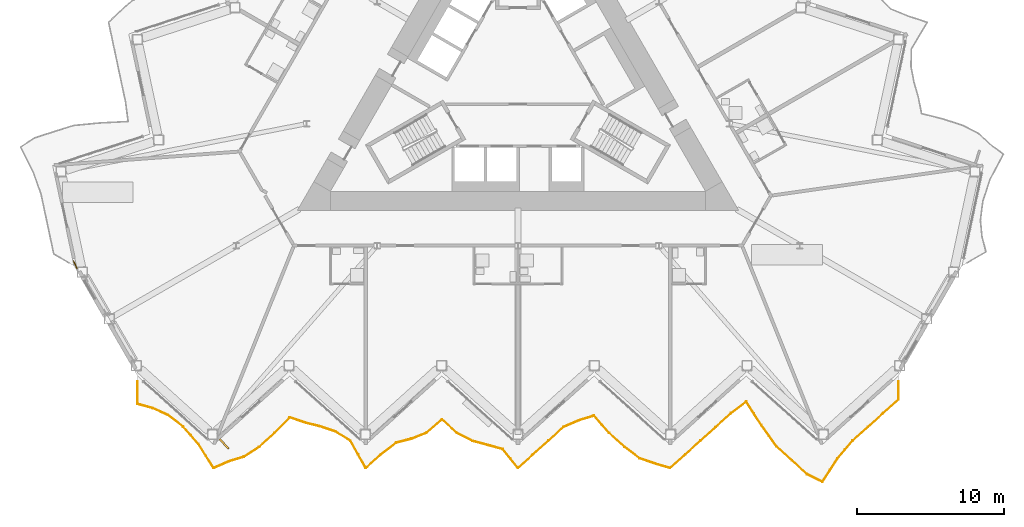
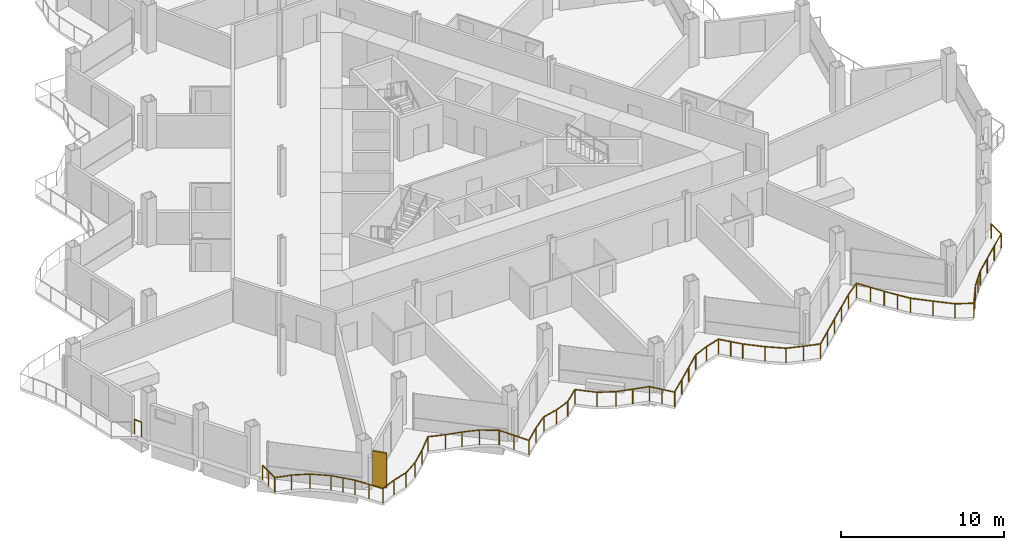
# One storey, part 19 of 24: 2 railings, 1 shading device.
"""IFC4 building model written with IfcOpenShell, lengths in metres."""

from ifc_helpers import new_model, si_unit, direction, frame, origin, origin_2d, place, context, subcontext, project, spatial, rectangle, circle, extrude, material, layer, layer_set, type_object, element, save


model = new_model("IFC4")

# Units and contexts
model_context = context("Model", 3, precision=1e-05, world=origin(), true_north=direction((0.0, 1.0)))
body_context = subcontext(model_context, "Body", "Model", "MODEL_VIEW")
ifc_project = project(units=[si_unit("LENGTHUNIT", "METRE"), si_unit("AREAUNIT", "SQUARE_METRE"), si_unit("VOLUMEUNIT", "CUBIC_METRE"), si_unit("PLANEANGLEUNIT", "RADIAN"), si_unit("MASSUNIT", "GRAM", prefix="KILO")], contexts=[model_context])

# Site, building, storey
site_placement = place(None, origin())
site = spatial("IfcSite", under=ifc_project, at=site_placement, CompositionType="ELEMENT")
building_placement = place(site_placement, origin())
building = spatial("IfcBuilding", under=site, at=building_placement, Name="Cormorant Prow Tower", CompositionType="ELEMENT")
storey_placement = place(building_placement, frame((0.0, 0.0, 231.0)))
storey = spatial("IfcBuildingStorey", under=building, at=storey_placement, Name="L50", CompositionType="ELEMENT", Elevation=231.0)

# Railings
ifc_material_1 = material(Name="Aluminium 6063-T6", Category="aluminium")
railing_type_1 = type_object("IfcRailingType", Name="Balcony guard 1100", PredefinedType="GUARDRAIL", material=ifc_material_1)
railing_1_placement = place(storey_placement, frame((-25.859619140625, -20.302978515625, 0.0)))
element("IfcRailing", 1, at=railing_1_placement, inside=storey, type_object=railing_type_1, Name="Balcony guard S", PredefinedType="GUARDRAIL", context=body_context, shape_type="SweptSolid", body=[
    extrude(circle(Radius=0.02392578125, at=origin_2d()), frame((0.0, 0.0, 1.076171875), z_axis=(0.0, -1.0, 0.0), x_axis=(1.0, 0.0, 0.0)), (0.0, 0.0, 1.0), 1.52001953125),
    extrude(circle(Radius=0.02392578125, at=origin_2d()), frame((0.0, -1.52001953125, 1.076171875), z_axis=(0.964910821846, -0.262577809202, 0.0), x_axis=(0.262577809202, 0.964910821846, 0.0)), (0.0, 0.0, 1.0), 1.072021484375),
    extrude(circle(Radius=0.02392578125, at=origin_2d()), frame((1.034423828125, -1.801513671875, 1.076171875), z_axis=(0.91011619922, -0.414353115009, 0.0), x_axis=(0.414353115009, 0.91011619922, 0.0)), (0.0, 0.0, 1.0), 1.136474609375),
    extrude(circle(Radius=0.02392578125, at=origin_2d()), frame((2.06884765625, -2.2724609375, 1.076171875), z_axis=(0.793096928295, -0.609095445993, 0.0), x_axis=(0.609095445993, 0.793096928295, 0.0)), (0.0, 0.0, 1.0), 1.30419921875),
    extrude(circle(Radius=0.02392578125, at=origin_2d()), frame((3.103271484375, -3.06689453125, 1.076171875), z_axis=(0.666206349445, -0.745767457026, 0.0), x_axis=(0.745767457026, 0.666206349445, 0.0)), (0.0, 0.0, 1.0), 1.552734375),
    extrude(circle(Radius=0.02392578125, at=origin_2d()), frame((4.1376953125, -4.224853515625, 1.076171875), z_axis=(0.530741873353, -0.847533517844, 0.0), x_axis=(0.847533517844, 0.530741873353, 0.0)), (0.0, 0.0, 1.0), 1.948974609375),
    extrude(circle(Radius=0.02392578125, at=origin_2d()), frame((5.172119140625, -5.876708984375, 1.076171875), z_axis=(0.913864919129, 0.406018361143, 0.0), x_axis=(-0.406018361143, 0.913864919129, 0.0)), (0.0, 0.0, 1.0), 1.131591796875),
    extrude(circle(Radius=0.02392578125, at=origin_2d()), frame((6.206298828125, -5.417236328125, 1.076171875), z_axis=(0.957208516531, 0.289399129024, 0.0), x_axis=(-0.289399129024, 0.957208516531, 0.0)), (0.0, 0.0, 1.0), 1.08056640625),
    extrude(circle(Radius=0.02392578125, at=origin_2d()), frame((7.24072265625, -5.1044921875, 1.076171875), z_axis=(0.838628974872, 0.544703077378, 0.0), x_axis=(-0.544703077378, 0.838628974872, 0.0)), (0.0, 0.0, 1.0), 1.2333984375),
    extrude(circle(Radius=0.02392578125, at=origin_2d()), frame((8.275146484375, -4.4326171875, 1.076171875), z_axis=(0.743145866469, 0.669129450219, 0.0), x_axis=(-0.669129450219, 0.743145866469, 0.0)), (0.0, 0.0, 1.0), 1.391845703125),
    extrude(circle(Radius=0.02392578125, at=origin_2d()), frame((9.3095703125, -3.501220703125, 1.076171875), z_axis=(0.69511255396, 0.718900923165, 0.0), x_axis=(-0.718900923165, 0.69511255396, 0.0)), (0.0, 0.0, 1.0), 1.488037109375),
    extrude(circle(Radius=0.02392578125, at=origin_2d()), frame((10.343994140625, -2.431396484375, 1.076171875), z_axis=(0.946129785286, -0.323787630084, 0.0), x_axis=(0.323787630084, 0.946129785286, 0.0)), (0.0, 0.0, 1.0), 1.09326171875),
    extrude(circle(Radius=0.02392578125, at=origin_2d()), frame((11.37841796875, -2.785400390625, 1.076171875), z_axis=(0.970572259799, -0.240810067292, 0.0), x_axis=(0.240810067292, 0.970572259799, 0.0)), (0.0, 0.0, 1.0), 1.0654296875),
    extrude(circle(Radius=0.02392578125, at=origin_2d()), frame((12.41259765625, -3.0419921875, 1.076171875), z_axis=(0.945650142469, -0.325185805423, 0.0), x_axis=(0.325185805423, 0.945650142469, 0.0)), (0.0, 0.0, 1.0), 1.093994140625),
    extrude(circle(Radius=0.02392578125, at=origin_2d()), frame((13.447021484375, -3.397705078125, 1.076171875), z_axis=(0.856706929106, -0.515803487408, 0.0), x_axis=(0.515803487408, 0.856706929106, 0.0)), (0.0, 0.0, 1.0), 1.20751953125),
    extrude(circle(Radius=0.02392578125, at=origin_2d()), frame((14.4814453125, -4.0205078125, 1.076171875), z_axis=(0.486793588896, -0.873517030063, 0.0), x_axis=(0.873517030063, 0.486793588896, 0.0)), (0.0, 0.0, 1.0), 2.125),
    extrude(circle(Radius=0.02392578125, at=origin_2d()), frame((15.515869140625, -5.876708984375, 1.076171875), z_axis=(0.743145866469, 0.669129450219, 0.0), x_axis=(-0.669129450219, 0.743145866469, 0.0)), (0.0, 0.0, 1.0), 1.391845703125),
    extrude(circle(Radius=0.02392578125, at=origin_2d()), frame((16.55029296875, -4.9453125, 1.076171875), z_axis=(0.792283248818, 0.610153467287, 0.0), x_axis=(-0.610153467287, 0.792283248818, 0.0)), (0.0, 0.0, 1.0), 1.3056640625),
    extrude(circle(Radius=0.02392578125, at=origin_2d()), frame((17.584716796875, -4.148681640625, 1.076171875), z_axis=(0.969111093781, 0.246624589022, 0.0), x_axis=(-0.246624589022, 0.969111093781, 0.0)), (0.0, 0.0, 1.0), 1.067138671875),
    extrude(circle(Radius=0.02392578125, at=origin_2d()), frame((18.618896484375, -3.885498046875, 1.076171875), z_axis=(0.929667322101, 0.368400149589, 0.0), x_axis=(-0.368400149589, 0.929667322101, 0.0)), (0.0, 0.0, 1.0), 1.11279296875),
    extrude(circle(Radius=0.02392578125, at=origin_2d()), frame((19.6533203125, -3.4755859375, 1.076171875), z_axis=(0.752345655923, 0.658768558762, 0.0), x_axis=(-0.658768558762, 0.752345655923, 0.0)), (0.0, 0.0, 1.0), 1.375),
    extrude(circle(Radius=0.02392578125, at=origin_2d()), frame((20.687744140625, -2.56982421875, 1.076171875), z_axis=(0.743145866469, -0.669129450219, 0.0), x_axis=(0.669129450219, 0.743145866469, 0.0)), (0.0, 0.0, 1.0), 1.391845703125),
    extrude(circle(Radius=0.02392578125, at=origin_2d()), frame((21.72216796875, -3.501220703125, 1.076171875), z_axis=(0.891589656933, -0.452844215653, 0.0), x_axis=(0.452844215653, 0.891589656933, 0.0)), (0.0, 0.0, 1.0), 1.16015625),
    extrude(circle(Radius=0.02392578125, at=origin_2d()), frame((22.756591796875, -4.026611328125, 1.076171875), z_axis=(0.965068108783, -0.26199913246, 0.0), x_axis=(0.26199913246, 0.965068108783, 0.0)), (0.0, 0.0, 1.0), 1.071533203125),
    extrude(circle(Radius=0.02392578125, at=origin_2d()), frame((23.790771484375, -4.307373046875, 1.076171875), z_axis=(0.964679705574, -0.26342563591, 0.0), x_axis=(0.26342563591, 0.964679705574, 0.0)), (0.0, 0.0, 1.0), 1.072265625),
    extrude(circle(Radius=0.02392578125, at=origin_2d()), frame((24.8251953125, -4.58984375, 1.076171875), z_axis=(0.62651464331, -0.77940964949, 0.0), x_axis=(0.77940964949, 0.62651464331, 0.0)), (0.0, 0.0, 1.0), 1.651123046875),
    extrude(circle(Radius=0.02392578125, at=origin_2d()), frame((25.859619140625, -5.876708984375, 1.076171875), z_axis=(0.743145866469, 0.669129450219, 0.0), x_axis=(-0.669129450219, 0.743145866469, 0.0)), (0.0, 0.0, 1.0), 1.391845703125),
    extrude(circle(Radius=0.02392578125, at=origin_2d()), frame((26.89404296875, -4.9453125, 1.076171875), z_axis=(0.743145866469, 0.669129450219, 0.0), x_axis=(-0.669129450219, 0.743145866469, 0.0)), (0.0, 0.0, 1.0), 1.391845703125),
    extrude(circle(Radius=0.02392578125, at=origin_2d()), frame((27.928466796875, -4.013916015625, 1.076171875), z_axis=(0.743067321059, 0.669216673712, 0.0), x_axis=(-0.669216673712, 0.743067321059, 0.0)), (0.0, 0.0, 1.0), 1.391845703125),
    extrude(circle(Radius=0.02392578125, at=origin_2d()), frame((28.962646484375, -3.08251953125, 1.076171875), z_axis=(0.916132520789, 0.400875547213, 0.0), x_axis=(-0.400875547213, 0.916132520789, 0.0)), (0.0, 0.0, 1.0), 1.129150390625),
    extrude(circle(Radius=0.02392578125, at=origin_2d()), frame((29.9970703125, -2.6298828125, 1.076171875), z_axis=(0.956769545304, 0.29084710275, 0.0), x_axis=(-0.29084710275, 0.956769545304, 0.0)), (0.0, 0.0, 1.0), 1.0810546875),
    extrude(circle(Radius=0.02392578125, at=origin_2d()), frame((31.031494140625, -2.3154296875, 1.076171875), z_axis=(0.657372501119, -0.753565786626, 0.0), x_axis=(0.753565786626, 0.657372501119, 0.0)), (0.0, 0.0, 1.0), 1.573486328125),
    extrude(circle(Radius=0.02392578125, at=origin_2d()), frame((32.06591796875, -3.501220703125, 1.076171875), z_axis=(0.743145866469, -0.669129450219, 0.0), x_axis=(0.669129450219, 0.743145866469, 0.0)), (0.0, 0.0, 1.0), 1.391845703125),
    extrude(circle(Radius=0.02392578125, at=origin_2d()), frame((33.100341796875, -4.4326171875, 1.076171875), z_axis=(0.795289474935, -0.606229866517, 0.0), x_axis=(0.606229866517, 0.795289474935, 0.0)), (0.0, 0.0, 1.0), 1.30029296875),
    extrude(circle(Radius=0.02392578125, at=origin_2d()), frame((34.134521484375, -5.220947265625, 1.076171875), z_axis=(0.94667600763, -0.322187114232, 0.0), x_axis=(0.322187114232, 0.94667600763, 0.0)), (0.0, 0.0, 1.0), 1.0927734375),
    extrude(circle(Radius=0.02392578125, at=origin_2d()), frame((35.1689453125, -5.572998046875, 1.076171875), z_axis=(0.959498816509, -0.281712657007, 0.0), x_axis=(0.281712657007, 0.959498816509, 0.0)), (0.0, 0.0, 1.0), 1.078125),
    extrude(circle(Radius=0.02392578125, at=origin_2d()), frame((36.203369140625, -5.876708984375, 1.076171875), z_axis=(0.743145866469, 0.669129450219, 0.0), x_axis=(-0.669129450219, 0.743145866469, 0.0)), (0.0, 0.0, 1.0), 1.391845703125),
    extrude(circle(Radius=0.02392578125, at=origin_2d()), frame((37.23779296875, -4.9453125, 1.076171875), z_axis=(0.743145866469, 0.669129450219, 0.0), x_axis=(-0.669129450219, 0.743145866469, 0.0)), (0.0, 0.0, 1.0), 1.391845703125),
    extrude(circle(Radius=0.02392578125, at=origin_2d()), frame((38.272216796875, -4.013916015625, 1.076171875), z_axis=(0.743145866469, 0.669129450219, 0.0), x_axis=(-0.669129450219, 0.743145866469, 0.0)), (0.0, 0.0, 1.0), 1.391845703125),
    extrude(circle(Radius=0.02392578125, at=origin_2d()), frame((39.306640625, -3.08251953125, 1.076171875), z_axis=(0.743067321059, 0.669216673712, 0.0), x_axis=(-0.669216673712, 0.743067321059, 0.0)), (0.0, 0.0, 1.0), 1.391845703125),
    extrude(circle(Radius=0.02392578125, at=origin_2d()), frame((40.3408203125, -2.151123046875, 1.076171875), z_axis=(0.794815521571, 0.606851123975, 0.0), x_axis=(-0.606851123975, 0.794815521571, 0.0)), (0.0, 0.0, 1.0), 1.301513671875),
    extrude(circle(Radius=0.02392578125, at=origin_2d()), frame((41.375244140625, -1.361328125, 1.076171875), z_axis=(0.54319811953, -0.839604551523, 0.0), x_axis=(0.839604551523, 0.54319811953, 0.0)), (0.0, 0.0, 1.0), 1.904296875),
    extrude(circle(Radius=0.02392578125, at=origin_2d()), frame((42.40966796875, -2.960205078125, 1.076171875), z_axis=(0.580576946583, -0.814205385082, 0.0), x_axis=(0.814205385082, 0.580576946583, 0.0)), (0.0, 0.0, 1.0), 1.78173828125),
    extrude(circle(Radius=0.02392578125, at=origin_2d()), frame((43.444091796875, -4.410888671875, 1.076171875), z_axis=(0.735415353267, -0.677616601169, 0.0), x_axis=(0.677616601169, 0.735415353267, 0.0)), (0.0, 0.0, 1.0), 1.406494140625),
    extrude(circle(Radius=0.02392578125, at=origin_2d()), frame((44.478515625, -5.364013671875, 1.076171875), z_axis=(0.743145866469, -0.669129450219, 0.0), x_axis=(0.669129450219, 0.743145866469, 0.0)), (0.0, 0.0, 1.0), 1.391845703125),
    extrude(circle(Radius=0.02392578125, at=origin_2d()), frame((45.512939453125, -6.29541015625, 1.076171875), z_axis=(0.893581801195, -0.448900394935, 0.0), x_axis=(0.448900394935, 0.893581801195, 0.0)), (0.0, 0.0, 1.0), 1.1572265625),
    extrude(circle(Radius=0.02392578125, at=origin_2d()), frame((46.547119140625, -6.81494140625, 1.076171875), z_axis=(0.547019762146, 0.837119692649, 0.0), x_axis=(-0.837119692649, 0.547019762146, 0.0)), (0.0, 0.0, 1.0), 1.89111328125),
    extrude(circle(Radius=0.02392578125, at=origin_2d()), frame((47.58154296875, -5.23193359375, 1.076171875), z_axis=(0.647324620939, 0.762214428574, 0.0), x_axis=(-0.762214428574, 0.647324620939, 0.0)), (0.0, 0.0, 1.0), 1.597900390625),
    extrude(circle(Radius=0.02392578125, at=origin_2d()), frame((48.615966796875, -4.013916015625, 1.076171875), z_axis=(0.743145866469, 0.669129450219, 0.0), x_axis=(-0.669129450219, 0.743145866469, 0.0)), (0.0, 0.0, 1.0), 1.391845703125),
    extrude(circle(Radius=0.02392578125, at=origin_2d()), frame((49.650390625, -3.08251953125, 1.076171875), z_axis=(0.743145866469, 0.669129450219, 0.0), x_axis=(-0.669129450219, 0.743145866469, 0.0)), (0.0, 0.0, 1.0), 1.391845703125),
    extrude(circle(Radius=0.02392578125, at=origin_2d()), frame((50.684814453125, -2.151123046875, 1.076171875), z_axis=(0.743233087124, 0.669032568867, 0.0), x_axis=(-0.669032568867, 0.743233087124, 0.0)), (0.0, 0.0, 1.0), 1.391845703125),
    extrude(circle(Radius=0.02392578125, at=origin_2d()), frame((51.71923828125, -1.219970703125, 1.076171875), z_axis=(0.0, 1.0, 0.0), x_axis=(-1.0, 0.0, 0.0)), (0.0, 0.0, 1.0), 1.219970703125),
    extrude(circle(Radius=0.02099609375, at=origin_2d()), origin(), (0.0, 0.0, 1.0), 1.052001953125),
    extrude(circle(Radius=0.02099609375, at=origin_2d()), frame((0.0, -0.760009765625, 0.0)), (0.0, 0.0, 1.0), 1.052001953125),
    extrude(circle(Radius=0.02099609375, at=origin_2d()), frame((0.0, -1.52001953125, 0.0)), (0.0, 0.0, 1.0), 1.052001953125),
    extrude(circle(Radius=0.02099609375, at=origin_2d()), frame((1.034423828125, -1.801513671875, 0.0)), (0.0, 0.0, 1.0), 1.052001953125),
    extrude(circle(Radius=0.02099609375, at=origin_2d()), frame((2.06884765625, -2.2724609375, 0.0)), (0.0, 0.0, 1.0), 1.052001953125),
    extrude(circle(Radius=0.02099609375, at=origin_2d()), frame((3.103271484375, -3.06689453125, 0.0)), (0.0, 0.0, 1.0), 1.052001953125),
    extrude(circle(Radius=0.02099609375, at=origin_2d()), frame((3.62060546875, -3.64599609375, 0.0)), (0.0, 0.0, 1.0), 1.052001953125),
    extrude(circle(Radius=0.02099609375, at=origin_2d()), frame((4.1376953125, -4.224853515625, 0.0)), (0.0, 0.0, 1.0), 1.052001953125),
    extrude(circle(Radius=0.02099609375, at=origin_2d()), frame((4.65478515625, -5.05078125, 0.0)), (0.0, 0.0, 1.0), 1.052001953125),
    extrude(circle(Radius=0.02099609375, at=origin_2d()), frame((5.172119140625, -5.876708984375, 0.0)), (0.0, 0.0, 1.0), 1.052001953125),
    extrude(circle(Radius=0.02099609375, at=origin_2d()), frame((6.206298828125, -5.417236328125, 0.0)), (0.0, 0.0, 1.0), 1.052001953125),
    extrude(circle(Radius=0.02099609375, at=origin_2d()), frame((7.24072265625, -5.1044921875, 0.0)), (0.0, 0.0, 1.0), 1.052001953125),
    extrude(circle(Radius=0.02099609375, at=origin_2d()), frame((8.275146484375, -4.4326171875, 0.0)), (0.0, 0.0, 1.0), 1.052001953125),
    extrude(circle(Radius=0.02099609375, at=origin_2d()), frame((9.3095703125, -3.501220703125, 0.0)), (0.0, 0.0, 1.0), 1.052001953125),
    extrude(circle(Radius=0.02099609375, at=origin_2d()), frame((10.343994140625, -2.431396484375, 0.0)), (0.0, 0.0, 1.0), 1.052001953125),
    extrude(circle(Radius=0.02099609375, at=origin_2d()), frame((11.37841796875, -2.785400390625, 0.0)), (0.0, 0.0, 1.0), 1.052001953125),
    extrude(circle(Radius=0.02099609375, at=origin_2d()), frame((12.41259765625, -3.0419921875, 0.0)), (0.0, 0.0, 1.0), 1.052001953125),
    extrude(circle(Radius=0.02099609375, at=origin_2d()), frame((13.447021484375, -3.397705078125, 0.0)), (0.0, 0.0, 1.0), 1.052001953125),
    extrude(circle(Radius=0.02099609375, at=origin_2d()), frame((14.4814453125, -4.0205078125, 0.0)), (0.0, 0.0, 1.0), 1.052001953125),
    extrude(circle(Radius=0.02099609375, at=origin_2d()), frame((14.99853515625, -4.94873046875, 0.0)), (0.0, 0.0, 1.0), 1.052001953125),
    extrude(circle(Radius=0.02099609375, at=origin_2d()), frame((15.515869140625, -5.876708984375, 0.0)), (0.0, 0.0, 1.0), 1.052001953125),
    extrude(circle(Radius=0.02099609375, at=origin_2d()), frame((16.55029296875, -4.9453125, 0.0)), (0.0, 0.0, 1.0), 1.052001953125),
    extrude(circle(Radius=0.02099609375, at=origin_2d()), frame((17.584716796875, -4.148681640625, 0.0)), (0.0, 0.0, 1.0), 1.052001953125),
    extrude(circle(Radius=0.02099609375, at=origin_2d()), frame((18.618896484375, -3.885498046875, 0.0)), (0.0, 0.0, 1.0), 1.052001953125),
    extrude(circle(Radius=0.02099609375, at=origin_2d()), frame((19.6533203125, -3.4755859375, 0.0)), (0.0, 0.0, 1.0), 1.052001953125),
    extrude(circle(Radius=0.02099609375, at=origin_2d()), frame((20.687744140625, -2.56982421875, 0.0)), (0.0, 0.0, 1.0), 1.052001953125),
    extrude(circle(Radius=0.02099609375, at=origin_2d()), frame((21.72216796875, -3.501220703125, 0.0)), (0.0, 0.0, 1.0), 1.052001953125),
    extrude(circle(Radius=0.02099609375, at=origin_2d()), frame((22.756591796875, -4.026611328125, 0.0)), (0.0, 0.0, 1.0), 1.052001953125),
    extrude(circle(Radius=0.02099609375, at=origin_2d()), frame((23.790771484375, -4.307373046875, 0.0)), (0.0, 0.0, 1.0), 1.052001953125),
    extrude(circle(Radius=0.02099609375, at=origin_2d()), frame((24.8251953125, -4.58984375, 0.0)), (0.0, 0.0, 1.0), 1.052001953125),
    extrude(circle(Radius=0.02099609375, at=origin_2d()), frame((25.34228515625, -5.2333984375, 0.0)), (0.0, 0.0, 1.0), 1.052001953125),
    extrude(circle(Radius=0.02099609375, at=origin_2d()), frame((25.859619140625, -5.876708984375, 0.0)), (0.0, 0.0, 1.0), 1.052001953125),
    extrude(circle(Radius=0.02099609375, at=origin_2d()), frame((26.89404296875, -4.9453125, 0.0)), (0.0, 0.0, 1.0), 1.052001953125),
    extrude(circle(Radius=0.02099609375, at=origin_2d()), frame((27.928466796875, -4.013916015625, 0.0)), (0.0, 0.0, 1.0), 1.052001953125),
    extrude(circle(Radius=0.02099609375, at=origin_2d()), frame((28.962646484375, -3.08251953125, 0.0)), (0.0, 0.0, 1.0), 1.052001953125),
    extrude(circle(Radius=0.02099609375, at=origin_2d()), frame((29.9970703125, -2.6298828125, 0.0)), (0.0, 0.0, 1.0), 1.052001953125),
    extrude(circle(Radius=0.02099609375, at=origin_2d()), frame((31.031494140625, -2.3154296875, 0.0)), (0.0, 0.0, 1.0), 1.052001953125),
    extrude(circle(Radius=0.02099609375, at=origin_2d()), frame((31.548828125, -2.908203125, 0.0)), (0.0, 0.0, 1.0), 1.052001953125),
    extrude(circle(Radius=0.02099609375, at=origin_2d()), frame((32.06591796875, -3.501220703125, 0.0)), (0.0, 0.0, 1.0), 1.052001953125),
    extrude(circle(Radius=0.02099609375, at=origin_2d()), frame((33.100341796875, -4.4326171875, 0.0)), (0.0, 0.0, 1.0), 1.052001953125),
    extrude(circle(Radius=0.02099609375, at=origin_2d()), frame((34.134521484375, -5.220947265625, 0.0)), (0.0, 0.0, 1.0), 1.052001953125),
    extrude(circle(Radius=0.02099609375, at=origin_2d()), frame((35.1689453125, -5.572998046875, 0.0)), (0.0, 0.0, 1.0), 1.052001953125),
    extrude(circle(Radius=0.02099609375, at=origin_2d()), frame((36.203369140625, -5.876708984375, 0.0)), (0.0, 0.0, 1.0), 1.052001953125),
    extrude(circle(Radius=0.02099609375, at=origin_2d()), frame((37.23779296875, -4.9453125, 0.0)), (0.0, 0.0, 1.0), 1.052001953125),
    extrude(circle(Radius=0.02099609375, at=origin_2d()), frame((38.272216796875, -4.013916015625, 0.0)), (0.0, 0.0, 1.0), 1.052001953125),
    extrude(circle(Radius=0.02099609375, at=origin_2d()), frame((39.306640625, -3.08251953125, 0.0)), (0.0, 0.0, 1.0), 1.052001953125),
    extrude(circle(Radius=0.02099609375, at=origin_2d()), frame((40.3408203125, -2.151123046875, 0.0)), (0.0, 0.0, 1.0), 1.052001953125),
    extrude(circle(Radius=0.02099609375, at=origin_2d()), frame((41.375244140625, -1.361328125, 0.0)), (0.0, 0.0, 1.0), 1.052001953125),
    extrude(circle(Radius=0.02099609375, at=origin_2d()), frame((41.892578125, -2.16064453125, 0.0)), (0.0, 0.0, 1.0), 1.052001953125),
    extrude(circle(Radius=0.02099609375, at=origin_2d()), frame((42.40966796875, -2.960205078125, 0.0)), (0.0, 0.0, 1.0), 1.052001953125),
    extrude(circle(Radius=0.02099609375, at=origin_2d()), frame((42.9267578125, -3.685546875, 0.0)), (0.0, 0.0, 1.0), 1.052001953125),
    extrude(circle(Radius=0.02099609375, at=origin_2d()), frame((43.444091796875, -4.410888671875, 0.0)), (0.0, 0.0, 1.0), 1.052001953125),
    extrude(circle(Radius=0.02099609375, at=origin_2d()), frame((44.478515625, -5.364013671875, 0.0)), (0.0, 0.0, 1.0), 1.052001953125),
    extrude(circle(Radius=0.02099609375, at=origin_2d()), frame((45.512939453125, -6.29541015625, 0.0)), (0.0, 0.0, 1.0), 1.052001953125),
    extrude(circle(Radius=0.02099609375, at=origin_2d()), frame((46.547119140625, -6.81494140625, 0.0)), (0.0, 0.0, 1.0), 1.052001953125),
    extrude(circle(Radius=0.02099609375, at=origin_2d()), frame((47.064453125, -6.0234375, 0.0)), (0.0, 0.0, 1.0), 1.052001953125),
    extrude(circle(Radius=0.02099609375, at=origin_2d()), frame((47.58154296875, -5.23193359375, 0.0)), (0.0, 0.0, 1.0), 1.052001953125),
    extrude(circle(Radius=0.02099609375, at=origin_2d()), frame((48.0986328125, -4.623046875, 0.0)), (0.0, 0.0, 1.0), 1.052001953125),
    extrude(circle(Radius=0.02099609375, at=origin_2d()), frame((48.615966796875, -4.013916015625, 0.0)), (0.0, 0.0, 1.0), 1.052001953125),
    extrude(circle(Radius=0.02099609375, at=origin_2d()), frame((49.650390625, -3.08251953125, 0.0)), (0.0, 0.0, 1.0), 1.052001953125),
    extrude(circle(Radius=0.02099609375, at=origin_2d()), frame((50.684814453125, -2.151123046875, 0.0)), (0.0, 0.0, 1.0), 1.052001953125),
    extrude(circle(Radius=0.02099609375, at=origin_2d()), frame((51.71923828125, -1.219970703125, 0.0)), (0.0, 0.0, 1.0), 1.052001953125),
    extrude(circle(Radius=0.02099609375, at=origin_2d()), frame((51.71923828125, 0.0, 0.0)), (0.0, 0.0, 1.0), 1.052001953125),
])
ifc_material_2 = material(Name="Stainless steel", Category="steel")
railing_type_2 = type_object("IfcRailingType", Name="Facade corner guard 1100", PredefinedType="GUARDRAIL", material=ifc_material_2)
railing_2_placement = place(storey_placement, frame((-29.981689453125, -12.599609375, 0.0)))
element("IfcRailing", 2, at=railing_2_placement, inside=storey, type_object=railing_type_2, Name="Facade corner guard L50 1", PredefinedType="GUARDRAIL", context=body_context, shape_type="SweptSolid", body=[
    extrude(circle(Radius=0.02392578125, at=origin_2d()), frame((0.0, 0.0, 1.076171875), z_axis=(-0.413009334516, 0.910726791965, 0.0), x_axis=(-0.910726791965, -0.413009334516, 0.0)), (0.0, 0.0, 1.0), 0.533203125),
    extrude(circle(Radius=0.02099609375, at=origin_2d()), origin(), (0.0, 0.0, 1.0), 1.052001953125),
    extrude(circle(Radius=0.02099609375, at=origin_2d()), frame((-0.22021484375, 0.485595703125, 0.0)), (0.0, 0.0, 1.0), 1.052001953125),
])

# Shading device
ifc_material_3 = material(Name="Terracotta", Category="masonry")
ifc_layer = layer(ifc_material_3, 0.1201171875)
ifc_layer_set = layer_set([ifc_layer], Name="Terracotta")
shading_device_type = type_object("IfcShadingDeviceType", Name="Terracotta baguette fin 120x900x2600", PredefinedType="USERDEFINED", material=ifc_layer_set)
shading_device_placement = place(storey_placement, frame((-19.969482421875, -24.53857421875, 0.0), z_axis=(0.0, 0.0, 1.0), x_axis=(0.74314485959, 0.669130568473, 0.0)))
element("IfcShadingDevice", 3, at=shading_device_placement, inside=storey, type_object=shading_device_type, Name="Baguette fin S01", ObjectType="BAGUETTE", PredefinedType="USERDEFINED", context=body_context, shape_type="SweptSolid", body=[
    extrude(rectangle(XDim=0.1201171875, YDim=0.89990234375, at=origin_2d()), origin(), (0.0, 0.0, 1.0), 2.60009765625),
])

save(model, "model.ifc")
